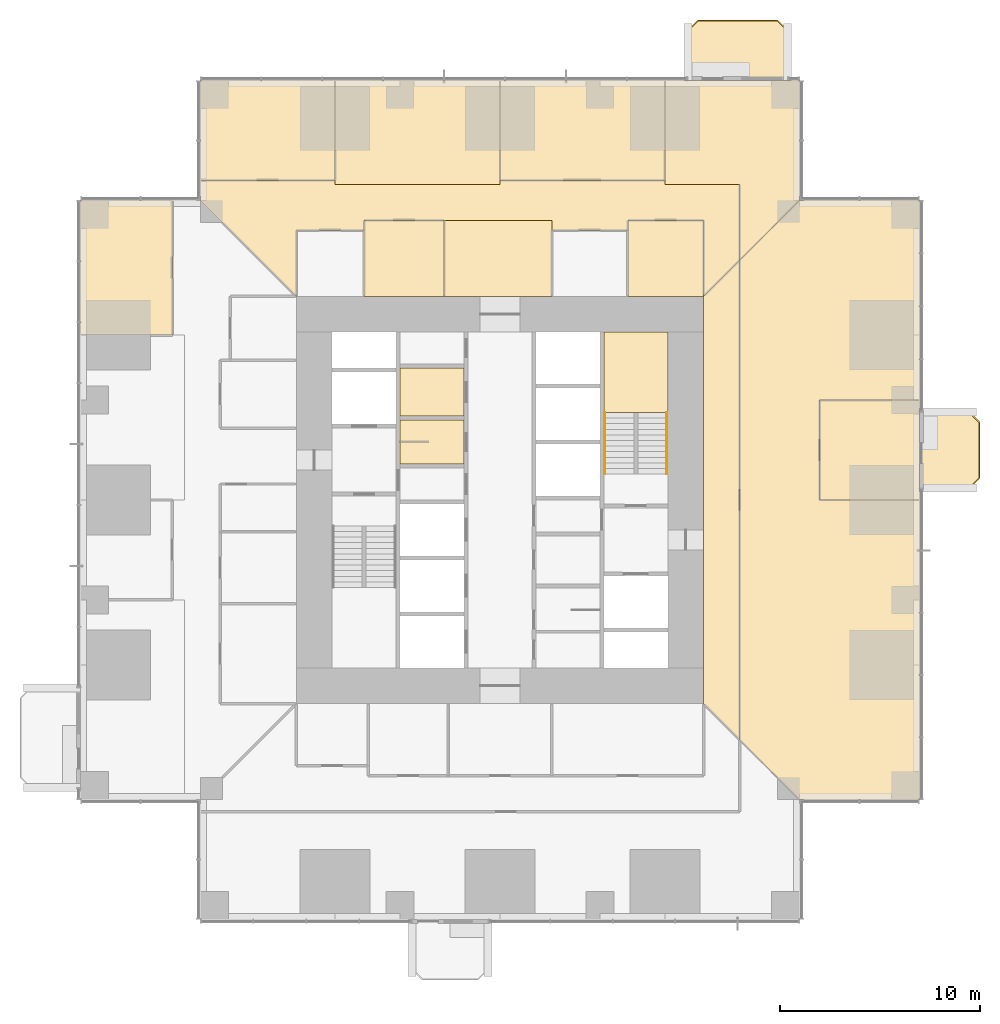
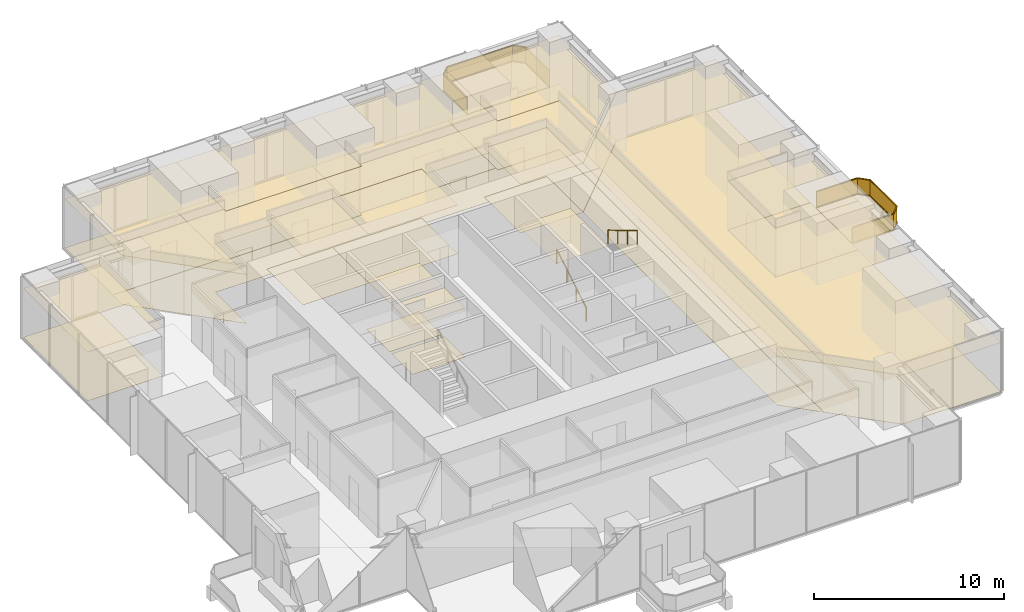
# One storey, part 16 of 17: 31 coverings, 4 railings.
"""IFC4 building model written with IfcOpenShell, lengths in metres."""

from ifc_helpers import new_model, si_unit, direction, frame, origin, origin_2d, place, context, subcontext, project, spatial, polyline, rectangle, circle, outline, extrude, material, layer, layer_set, type_object, element, save


model = new_model("IFC4")

# Units and contexts
model_context = context("Model", 3, precision=1e-05, world=origin(), true_north=direction((0.0, 1.0)))
body_context = subcontext(model_context, "Body", "Model", "MODEL_VIEW")
ifc_project = project(units=[si_unit("LENGTHUNIT", "METRE"), si_unit("AREAUNIT", "SQUARE_METRE"), si_unit("VOLUMEUNIT", "CUBIC_METRE"), si_unit("PLANEANGLEUNIT", "RADIAN"), si_unit("MASSUNIT", "GRAM", prefix="KILO")], contexts=[model_context])

# Site, building, storey
site_placement = place(None, origin())
site = spatial("IfcSite", under=ifc_project, at=site_placement, CompositionType="ELEMENT")
building_placement = place(site_placement, origin())
building = spatial("IfcBuilding", under=site, at=building_placement, Name="Svetlomir Tower", CompositionType="ELEMENT")
storey_placement = place(building_placement, frame((0.0, 0.0, 38.5)))
storey = spatial("IfcBuildingStorey", under=building, at=storey_placement, Name="L08", CompositionType="ELEMENT", Elevation=38.5)

# Railings
ifc_material_1 = material(Name="Bronze anodised aluminium and laminated glass", Category="aluminium")
railing_type_1 = type_object("IfcRailingType", Name="BALCONY GUARD GR1 1100", PredefinedType="GUARDRAIL", material=ifc_material_1)
railing_1_placement = place(storey_placement, frame((42.0, 21.60009765625, 0.0)))
element("IfcRailing", 1, at=railing_1_placement, inside=storey, type_object=railing_type_1, Name="Balcony guard E L08", PredefinedType="GUARDRAIL", context=body_context, shape_type="SweptSolid", body=[
    extrude(rectangle(XDim=0.06005859375, YDim=0.10009765625, at=origin_2d()), frame((0.0, 0.0, 0.050048828125), z_axis=(1.0, 0.0, 0.0), x_axis=(0.0, 1.0, 0.0)), (0.0, 0.0, 1.0), 2.5),
    extrude(rectangle(XDim=0.021484375, YDim=0.960205078125, at=origin_2d()), frame((0.0, 0.0, 0.580078125), z_axis=(1.0, 0.0, 0.0), x_axis=(0.0, 1.0, 0.0)), (0.0, 0.0, 1.0), 2.5),
    extrude(rectangle(XDim=0.06005859375, YDim=0.0400390625, at=origin_2d()), frame((0.0, 0.0, 1.080078125), z_axis=(1.0, 0.0, 0.0), x_axis=(0.0, 1.0, 0.0)), (0.0, 0.0, 1.0), 2.5),
    extrude(rectangle(XDim=0.06005859375, YDim=0.10009765625, at=origin_2d()), frame((2.5, 0.0, 0.050048828125), z_axis=(0.707106781187, 0.707106781187, 0.0), x_axis=(-0.707106781187, 0.707106781187, 0.0)), (0.0, 0.0, 1.0), 0.70703125),
    extrude(rectangle(XDim=0.021484375, YDim=0.960205078125, at=origin_2d()), frame((2.5, 0.0, 0.580078125), z_axis=(0.707106781187, 0.707106781187, 0.0), x_axis=(-0.707106781187, 0.707106781187, 0.0)), (0.0, 0.0, 1.0), 0.70703125),
    extrude(rectangle(XDim=0.06005859375, YDim=0.0400390625, at=origin_2d()), frame((2.5, 0.0, 1.080078125), z_axis=(0.707106781187, 0.707106781187, 0.0), x_axis=(-0.707106781187, 0.707106781187, 0.0)), (0.0, 0.0, 1.0), 0.70703125),
    extrude(rectangle(XDim=0.06005859375, YDim=0.10009765625, at=origin_2d()), frame((3.0, 0.5, 0.050048828125), z_axis=(0.0, 1.0, 0.0), x_axis=(-1.0, 0.0, 0.0)), (0.0, 0.0, 1.0), 2.7998046875),
    extrude(rectangle(XDim=0.021484375, YDim=0.960205078125, at=origin_2d()), frame((3.0, 0.5, 0.580078125), z_axis=(0.0, 1.0, 0.0), x_axis=(-1.0, 0.0, 0.0)), (0.0, 0.0, 1.0), 2.7998046875),
    extrude(rectangle(XDim=0.06005859375, YDim=0.0400390625, at=origin_2d()), frame((3.0, 0.5, 1.080078125), z_axis=(0.0, 1.0, 0.0), x_axis=(-1.0, 0.0, 0.0)), (0.0, 0.0, 1.0), 2.7998046875),
    extrude(rectangle(XDim=0.06005859375, YDim=0.10009765625, at=origin_2d()), frame((3.0, 3.2998046875, 0.050048828125), z_axis=(-0.707106781187, 0.707106781187, 0.0), x_axis=(-0.707106781187, -0.707106781187, 0.0)), (0.0, 0.0, 1.0), 0.70703125),
    extrude(rectangle(XDim=0.021484375, YDim=0.960205078125, at=origin_2d()), frame((3.0, 3.2998046875, 0.580078125), z_axis=(-0.707106781187, 0.707106781187, 0.0), x_axis=(-0.707106781187, -0.707106781187, 0.0)), (0.0, 0.0, 1.0), 0.70703125),
    extrude(rectangle(XDim=0.06005859375, YDim=0.0400390625, at=origin_2d()), frame((3.0, 3.2998046875, 1.080078125), z_axis=(-0.707106781187, 0.707106781187, 0.0), x_axis=(-0.707106781187, -0.707106781187, 0.0)), (0.0, 0.0, 1.0), 0.70703125),
    extrude(rectangle(XDim=0.06005859375, YDim=0.10009765625, at=origin_2d()), frame((2.5, 3.7998046875, 0.050048828125), z_axis=(-1.0, 0.0, 0.0), x_axis=(0.0, -1.0, 0.0)), (0.0, 0.0, 1.0), 2.5),
    extrude(rectangle(XDim=0.021484375, YDim=0.960205078125, at=origin_2d()), frame((2.5, 3.7998046875, 0.580078125), z_axis=(-1.0, 0.0, 0.0), x_axis=(0.0, -1.0, 0.0)), (0.0, 0.0, 1.0), 2.5),
    extrude(rectangle(XDim=0.06005859375, YDim=0.0400390625, at=origin_2d()), frame((2.5, 3.7998046875, 1.080078125), z_axis=(-1.0, 0.0, 0.0), x_axis=(0.0, -1.0, 0.0)), (0.0, 0.0, 1.0), 2.5),
])
railing_2_placement = place(storey_placement, frame((35.39990234375, 42.0, 0.0)))
element("IfcRailing", 2, at=railing_2_placement, inside=storey, type_object=railing_type_1, Name="Balcony guard N L08", PredefinedType="GUARDRAIL", context=body_context, shape_type="SweptSolid", body=[
    extrude(rectangle(XDim=0.06005859375, YDim=0.10009765625, at=origin_2d()), frame((0.0, 0.0, 0.050048828125), z_axis=(0.0, 1.0, 0.0), x_axis=(-1.0, 0.0, 0.0)), (0.0, 0.0, 1.0), 2.5),
    extrude(rectangle(XDim=0.021484375, YDim=0.960205078125, at=origin_2d()), frame((0.0, 0.0, 0.580078125), z_axis=(0.0, 1.0, 0.0), x_axis=(-1.0, 0.0, 0.0)), (0.0, 0.0, 1.0), 2.5),
    extrude(rectangle(XDim=0.06005859375, YDim=0.0400390625, at=origin_2d()), frame((0.0, 0.0, 1.080078125), z_axis=(0.0, 1.0, 0.0), x_axis=(-1.0, 0.0, 0.0)), (0.0, 0.0, 1.0), 2.5),
    extrude(rectangle(XDim=0.06005859375, YDim=0.10009765625, at=origin_2d()), frame((0.0, 2.5, 0.050048828125), z_axis=(-0.707106781187, 0.707106781187, 0.0), x_axis=(-0.707106781187, -0.707106781187, 0.0)), (0.0, 0.0, 1.0), 0.70703125),
    extrude(rectangle(XDim=0.021484375, YDim=0.960205078125, at=origin_2d()), frame((0.0, 2.5, 0.580078125), z_axis=(-0.707106781187, 0.707106781187, 0.0), x_axis=(-0.707106781187, -0.707106781187, 0.0)), (0.0, 0.0, 1.0), 0.70703125),
    extrude(rectangle(XDim=0.06005859375, YDim=0.0400390625, at=origin_2d()), frame((0.0, 2.5, 1.080078125), z_axis=(-0.707106781187, 0.707106781187, 0.0), x_axis=(-0.707106781187, -0.707106781187, 0.0)), (0.0, 0.0, 1.0), 0.70703125),
    extrude(rectangle(XDim=0.06005859375, YDim=0.10009765625, at=origin_2d()), frame((-0.5, 3.0, 0.050048828125), z_axis=(-1.0, 0.0, 0.0), x_axis=(0.0, -1.0, 0.0)), (0.0, 0.0, 1.0), 4.0),
    extrude(rectangle(XDim=0.021484375, YDim=0.960205078125, at=origin_2d()), frame((-0.5, 3.0, 0.580078125), z_axis=(-1.0, 0.0, 0.0), x_axis=(0.0, -1.0, 0.0)), (0.0, 0.0, 1.0), 4.0),
    extrude(rectangle(XDim=0.06005859375, YDim=0.0400390625, at=origin_2d()), frame((-0.5, 3.0, 1.080078125), z_axis=(-1.0, 0.0, 0.0), x_axis=(0.0, -1.0, 0.0)), (0.0, 0.0, 1.0), 4.0),
    extrude(rectangle(XDim=0.06005859375, YDim=0.10009765625, at=origin_2d()), frame((-4.5, 3.0, 0.050048828125), z_axis=(-0.707106781187, -0.707106781187, 0.0), x_axis=(0.707106781187, -0.707106781187, 0.0)), (0.0, 0.0, 1.0), 0.70703125),
    extrude(rectangle(XDim=0.021484375, YDim=0.960205078125, at=origin_2d()), frame((-4.5, 3.0, 0.580078125), z_axis=(-0.707106781187, -0.707106781187, 0.0), x_axis=(0.707106781187, -0.707106781187, 0.0)), (0.0, 0.0, 1.0), 0.70703125),
    extrude(rectangle(XDim=0.06005859375, YDim=0.0400390625, at=origin_2d()), frame((-4.5, 3.0, 1.080078125), z_axis=(-0.707106781187, -0.707106781187, 0.0), x_axis=(0.707106781187, -0.707106781187, 0.0)), (0.0, 0.0, 1.0), 0.70703125),
    extrude(rectangle(XDim=0.06005859375, YDim=0.10009765625, at=origin_2d()), frame((-5.0, 2.5, 0.050048828125), z_axis=(0.0, -1.0, 0.0), x_axis=(1.0, 0.0, 0.0)), (0.0, 0.0, 1.0), 2.5),
    extrude(rectangle(XDim=0.021484375, YDim=0.960205078125, at=origin_2d()), frame((-5.0, 2.5, 0.580078125), z_axis=(0.0, -1.0, 0.0), x_axis=(1.0, 0.0, 0.0)), (0.0, 0.0, 1.0), 2.5),
    extrude(rectangle(XDim=0.06005859375, YDim=0.0400390625, at=origin_2d()), frame((-5.0, 2.5, 1.080078125), z_axis=(0.0, -1.0, 0.0), x_axis=(1.0, 0.0, 0.0)), (0.0, 0.0, 1.0), 2.5),
])

# Coverings
ifc_material_2 = material(Name="Granite paving slabs on pedestals", Category="masonry")
ifc_layer_1 = layer(ifc_material_2, 0.0400390625)
ifc_layer_set_1 = layer_set([ifc_layer_1], Name="Granite paving slabs on pedestals")
covering_type_1 = type_object("IfcCoveringType", Name="BALCONY PAVING 40", PredefinedType="USERDEFINED", material=ifc_layer_set_1)
covering_1_placement = place(storey_placement, origin())
element("IfcCovering", 3, at=covering_1_placement, inside=storey, type_object=covering_type_1, Name="Balcony paving E L08", ObjectType="BALCONY PAVING", PredefinedType="USERDEFINED", context=body_context, shape_type="SweptSolid", body=[
    extrude(outline(polyline([(42.0, 21.60009765625), (44.5, 21.60009765625), (45.0, 22.10009765625), (45.0, 24.89990234375), (44.5, 25.39990234375), (42.0, 25.39990234375), (42.0, 21.60009765625)])), origin(), (0.0, 0.0, 1.0), 0.0400390625),
])
covering_2_placement = place(storey_placement, origin())
element("IfcCovering", 4, at=covering_2_placement, inside=storey, type_object=covering_type_1, Name="Balcony paving N L08", ObjectType="BALCONY PAVING", PredefinedType="USERDEFINED", context=body_context, shape_type="SweptSolid", body=[
    extrude(outline(polyline([(30.39990234375, 42.0), (35.39990234375, 42.0), (35.39990234375, 44.5), (34.89990234375, 45.0), (30.89990234375, 45.0), (30.39990234375, 44.5), (30.39990234375, 42.0)])), origin(), (0.0, 0.0, 1.0), 0.0400390625),
])
ifc_material_3 = material(Name="Carpet tile", Category="textile")
ifc_layer_2 = layer(ifc_material_3, 0.010009765625)
ifc_layer_set_2 = layer_set([ifc_layer_2], Name="Carpet tile")
covering_type_2 = type_object("IfcCoveringType", Name="CARPET TILE FLOOR 10", PredefinedType="FLOORING", material=ifc_layer_set_2)
covering_3_placement = place(storey_placement, origin())
element("IfcCovering", 5, at=covering_3_placement, inside=storey, type_object=covering_type_2, Name="Floor finish L08-17", PredefinedType="FLOORING", context=body_context, shape_type="SweptSolid", body=[
    extrude(outline(polyline([(37.0, 21.0), (42.0, 21.0), (42.0, 26.0), (37.0, 26.0), (37.0, 21.0)])), origin(), (0.0, 0.0, 1.0), 0.010009765625),
])
covering_4_placement = place(storey_placement, origin())
element("IfcCovering", 6, at=covering_4_placement, inside=storey, type_object=covering_type_2, Name="Floor finish L08-19", PredefinedType="FLOORING", context=body_context, shape_type="SweptSolid", body=[
    extrude(outline(polyline([(14.199951171875, 31.199951171875), (18.199951171875, 31.199951171875), (18.199951171875, 35.0), (14.199951171875, 35.0), (14.199951171875, 31.199951171875)])), origin(), (0.0, 0.0, 1.0), 0.010009765625),
])
covering_5_placement = place(storey_placement, origin())
element("IfcCovering", 7, at=covering_5_placement, inside=storey, type_object=covering_type_2, Name="Floor finish L08-21", PredefinedType="FLOORING", context=body_context, shape_type="SweptSolid", body=[
    extrude(outline(polyline([(27.39990234375, 31.199951171875), (31.199951171875, 31.199951171875), (31.199951171875, 35.0), (27.39990234375, 35.0), (27.39990234375, 31.199951171875)])), origin(), (0.0, 0.0, 1.0), 0.010009765625),
])
covering_6_placement = place(storey_placement, origin())
element("IfcCovering", 8, at=covering_6_placement, inside=storey, type_object=covering_type_2, Name="Floor finish L08-22", PredefinedType="FLOORING", context=body_context, shape_type="SweptSolid", body=[
    extrude(outline(polyline([(6.0, 37.0), (12.75, 37.0), (12.75, 42.0), (6.0, 42.0), (6.0, 37.0)])), origin(), (0.0, 0.0, 1.0), 0.010009765625),
])
covering_7_placement = place(storey_placement, origin())
element("IfcCovering", 9, at=covering_7_placement, inside=storey, type_object=covering_type_2, Name="Floor finish L08-23", PredefinedType="FLOORING", context=body_context, shape_type="SweptSolid", body=[
    extrude(outline(polyline([(21.0, 37.0), (29.25, 37.0), (29.25, 42.0), (21.0, 42.0), (21.0, 37.0)])), origin(), (0.0, 0.0, 1.0), 0.010009765625),
])
covering_8_placement = place(storey_placement, origin())
element("IfcCovering", 10, at=covering_8_placement, inside=storey, type_object=covering_type_2, Name="Floor finish L08-29", PredefinedType="FLOORING", context=body_context, shape_type="SweptSolid", body=[
    extrude(outline(polyline([(0.0, 29.25), (4.60009765625, 29.25), (4.60009765625, 36.0), (0.0, 36.0), (0.0, 29.25)])), origin(), (0.0, 0.0, 1.0), 0.010009765625),
])
covering_9_placement = place(storey_placement, origin())
element("IfcCovering", 11, at=covering_9_placement, inside=storey, type_object=covering_type_2, Name="Floor finish L08-31", PredefinedType="FLOORING", context=body_context, shape_type="SweptSolid", body=[
    extrude(outline(polyline([(33.0, 9.0), (31.199951171875, 10.800048828125), (31.199951171875, 31.199951171875), (33.0, 33.0), (33.0, 9.0)])), origin(), (0.0, 0.0, 1.0), 0.010009765625),
])
covering_10_placement = place(storey_placement, origin())
element("IfcCovering", 12, at=covering_10_placement, inside=storey, type_object=covering_type_2, Name="Floor finish L08-32", PredefinedType="FLOORING", context=body_context, shape_type="SweptSolid", body=[
    extrude(outline(polyline([(6.0, 37.0), (12.75, 37.0), (12.75, 36.800048828125), (21.0, 36.800048828125), (21.0, 37.0), (29.25, 37.0), (29.25, 36.800048828125), (33.0, 36.800048828125), (33.0, 33.0), (31.199951171875, 31.199951171875), (31.199951171875, 35.0), (27.39990234375, 35.0), (27.39990234375, 34.5), (23.60009765625, 34.5), (23.60009765625, 35.0), (14.199951171875, 35.0), (14.199951171875, 34.5), (10.800048828125, 34.5), (10.800048828125, 31.199951171875), (6.0, 36.0), (6.0, 37.0)])), origin(), (0.0, 0.0, 1.0), 0.010009765625),
])
covering_11_placement = place(storey_placement, origin())
element("IfcCovering", 13, at=covering_11_placement, inside=storey, type_object=covering_type_2, Name="Floor finish L08-36", PredefinedType="FLOORING", context=body_context, shape_type="SweptSolid", body=[
    extrude(outline(polyline([(33.0, 33.0), (36.0, 36.0), (42.0, 36.0), (42.0, 26.0), (37.0, 26.0), (37.0, 21.0), (42.0, 21.0), (42.0, 6.0), (36.0, 6.0), (33.0, 9.0), (33.0, 33.0)])), origin(), (0.0, 0.0, 1.0), 0.010009765625),
])
covering_12_placement = place(storey_placement, origin())
element("IfcCovering", 14, at=covering_12_placement, inside=storey, type_object=covering_type_2, Name="Floor finish L08-37", PredefinedType="FLOORING", context=body_context, shape_type="SweptSolid", body=[
    extrude(outline(polyline([(33.0, 36.800048828125), (29.25, 36.800048828125), (29.25, 42.0), (36.0, 42.0), (36.0, 36.0), (33.0, 33.0), (33.0, 36.800048828125)])), origin(), (0.0, 0.0, 1.0), 0.010009765625),
])
covering_13_placement = place(storey_placement, origin())
element("IfcCovering", 15, at=covering_13_placement, inside=storey, type_object=covering_type_2, Name="Floor finish L08-38", PredefinedType="FLOORING", context=body_context, shape_type="SweptSolid", body=[
    extrude(outline(polyline([(21.0, 42.0), (21.0, 36.800048828125), (12.75, 36.800048828125), (12.75, 42.0), (21.0, 42.0)])), origin(), (0.0, 0.0, 1.0), 0.010009765625),
])
covering_14_placement = place(storey_placement, origin())
element("IfcCovering", 16, at=covering_14_placement, inside=storey, type_object=covering_type_2, Name="Floor finish L08-39", PredefinedType="FLOORING", context=body_context, shape_type="SweptSolid", body=[
    extrude(outline(polyline([(18.199951171875, 31.199951171875), (18.199951171875, 35.0), (23.60009765625, 35.0), (23.60009765625, 31.199951171875), (18.199951171875, 31.199951171875)])), origin(), (0.0, 0.0, 1.0), 0.010009765625),
])
ifc_material_4 = material(Name="Ceramic floor tile", Category="ceramic")
ifc_layer_3 = layer(ifc_material_4, 0.014892578125)
ifc_layer_set_3 = layer_set([ifc_layer_3], Name="Ceramic floor tile")
covering_type_3 = type_object("IfcCoveringType", Name="CERAMIC TILE FLOOR 15", PredefinedType="FLOORING", material=ifc_layer_set_3)
covering_15_placement = place(storey_placement, origin())
element("IfcCovering", 17, at=covering_15_placement, inside=storey, type_object=covering_type_3, Name="Floor finish L08-04", PredefinedType="FLOORING", context=body_context, shape_type="SweptSolid", body=[
    extrude(outline(polyline([(16.0, 22.800048828125), (19.199951171875, 22.800048828125), (19.199951171875, 25.0), (16.0, 25.0), (16.0, 22.800048828125)])), origin(), (0.0, 0.0, 1.0), 0.014892578125),
])
covering_16_placement = place(storey_placement, origin())
element("IfcCovering", 18, at=covering_16_placement, inside=storey, type_object=covering_type_3, Name="Floor finish L08-05", PredefinedType="FLOORING", context=body_context, shape_type="SweptSolid", body=[
    extrude(outline(polyline([(16.0, 25.199951171875), (19.199951171875, 25.199951171875), (19.199951171875, 27.60009765625), (16.0, 27.60009765625), (16.0, 25.199951171875)])), origin(), (0.0, 0.0, 1.0), 0.014892578125),
])

# Railings
ifc_material_5 = material(Name="Stainless steel", Category="steel")
railing_type_2 = type_object("IfcRailingType", Name="HANDRAIL HR1 900", PredefinedType="HANDRAIL", material=ifc_material_5)
railing_3_placement = place(storey_placement, frame((26.25, 22.300048828125, 0.166748046875)))
element("IfcRailing", 19, at=railing_3_placement, inside=storey, type_object=railing_type_2, Name="Handrail S2 flight 1 L08", PredefinedType="HANDRAIL", context=body_context, shape_type="SweptSolid", body=[
    extrude(circle(Radius=0.02392578125, at=origin_2d()), frame((0.0, 0.0, 0.8759765625), z_axis=(0.0, 0.859290745958, 0.51148745235), x_axis=(-1.0, 0.0, 0.0)), (0.0, 0.0, 1.0), 3.584228515625),
    extrude(circle(Radius=0.02099609375, at=origin_2d()), origin(), (0.0, 0.0, 1.0), 0.851806640625),
    extrude(circle(Radius=0.02099609375, at=origin_2d()), frame((0.0, 1.026611328125, 0.611083984375)), (0.0, 0.0, 1.0), 0.851806640625),
    extrude(circle(Radius=0.02099609375, at=origin_2d()), frame((0.0, 2.05322265625, 1.22216796875)), (0.0, 0.0, 1.0), 0.851806640625),
    extrude(circle(Radius=0.02099609375, at=origin_2d()), frame((0.0, 3.079833984375, 1.833251953125)), (0.0, 0.0, 1.0), 0.851806640625),
])
railing_4_placement = place(storey_placement, frame((29.35009765625, 25.3798828125, 2.166748046875)))
element("IfcRailing", 20, at=railing_4_placement, inside=storey, type_object=railing_type_2, Name="Handrail S2 flight 2 L08", PredefinedType="HANDRAIL", context=body_context, shape_type="SweptSolid", body=[
    extrude(circle(Radius=0.02392578125, at=origin_2d()), frame((0.0, 0.0, 0.8759765625), z_axis=(0.0, -0.859290745958, 0.51148745235), x_axis=(1.0, 0.0, 0.0)), (0.0, 0.0, 1.0), 3.584228515625),
    extrude(circle(Radius=0.02099609375, at=origin_2d()), origin(), (0.0, 0.0, 1.0), 0.851806640625),
    extrude(circle(Radius=0.02099609375, at=origin_2d()), frame((0.0, -1.026611328125, 0.611083984375)), (0.0, 0.0, 1.0), 0.851806640625),
    extrude(circle(Radius=0.02099609375, at=origin_2d()), frame((0.0, -2.05322265625, 1.22216796875)), (0.0, 0.0, 1.0), 0.851806640625),
    extrude(circle(Radius=0.02099609375, at=origin_2d()), frame((0.0, -3.079833984375, 1.833251953125)), (0.0, 0.0, 1.0), 0.851806640625),
])

# Coverings
ifc_material_6 = material(Name="Moisture resistant plasterboard ceiling", Category="gypsum")
ifc_layer_4 = layer(ifc_material_6, 0.012451171875)
ifc_layer_set_4 = layer_set([ifc_layer_4], Name="Moisture resistant plasterboard ceiling")
covering_type_4 = type_object("IfcCoveringType", Name="MOISTURE RESISTANT CEILING 12.5", PredefinedType="CEILING", material=ifc_layer_set_4)
covering_17_placement = place(storey_placement, frame((0.0, 0.0, 3.137451171875)))
element("IfcCovering", 21, at=covering_17_placement, inside=storey, type_object=covering_type_4, Name="Ceiling L08-04", PredefinedType="CEILING", context=body_context, shape_type="SweptSolid", body=[
    extrude(outline(polyline([(16.0, 22.800048828125), (19.199951171875, 22.800048828125), (19.199951171875, 25.0), (16.0, 25.0), (16.0, 22.800048828125)])), origin(), (0.0, 0.0, 1.0), 0.012451171875),
])
covering_18_placement = place(storey_placement, frame((0.0, 0.0, 3.137451171875)))
element("IfcCovering", 22, at=covering_18_placement, inside=storey, type_object=covering_type_4, Name="Ceiling L08-05", PredefinedType="CEILING", context=body_context, shape_type="SweptSolid", body=[
    extrude(outline(polyline([(16.0, 25.199951171875), (19.199951171875, 25.199951171875), (19.199951171875, 27.60009765625), (16.0, 27.60009765625), (16.0, 25.199951171875)])), origin(), (0.0, 0.0, 1.0), 0.012451171875),
])
ifc_material_7 = material(Name="Studded rubber floor finish", Category="rubber")
ifc_layer_5 = layer(ifc_material_7, 0.006103515625)
ifc_layer_set_5 = layer_set([ifc_layer_5], Name="Studded rubber floor finish")
covering_type_5 = type_object("IfcCoveringType", Name="RUBBER LANDING FINISH 6", PredefinedType="FLOORING", material=ifc_layer_set_5)
covering_19_placement = place(storey_placement, frame((0.0, 0.0, 2.0)))
element("IfcCovering", 23, at=covering_19_placement, inside=storey, type_object=covering_type_5, Name="Stair S2 landing finish L08", PredefinedType="FLOORING", context=body_context, shape_type="SweptSolid", body=[
    extrude(outline(polyline([(26.199951171875, 25.3798828125), (29.39990234375, 25.3798828125), (29.39990234375, 29.39990234375), (26.199951171875, 29.39990234375), (26.199951171875, 25.3798828125)])), origin(), (0.0, 0.0, 1.0), 0.006103515625),
])
ifc_material_8 = material(Name="Mineral fibre ceiling tile", Category="mineral")
ifc_layer_6 = layer(ifc_material_8, 0.02001953125)
ifc_layer_set_6 = layer_set([ifc_layer_6], Name="Mineral fibre ceiling tile")
covering_type_6 = type_object("IfcCoveringType", Name="SUSPENDED CEILING 20", PredefinedType="CEILING", material=ifc_layer_set_6)
covering_20_placement = place(storey_placement, frame((0.0, 0.0, 3.1298828125)))
element("IfcCovering", 24, at=covering_20_placement, inside=storey, type_object=covering_type_6, Name="Ceiling L08-17", PredefinedType="CEILING", context=body_context, shape_type="SweptSolid", body=[
    extrude(outline(polyline([(37.0, 21.0), (42.0, 21.0), (42.0, 26.0), (37.0, 26.0), (37.0, 21.0)])), origin(), (0.0, 0.0, 1.0), 0.02001953125),
])
covering_21_placement = place(storey_placement, frame((0.0, 0.0, 3.1298828125)))
element("IfcCovering", 25, at=covering_21_placement, inside=storey, type_object=covering_type_6, Name="Ceiling L08-19", PredefinedType="CEILING", context=body_context, shape_type="SweptSolid", body=[
    extrude(outline(polyline([(14.199951171875, 31.199951171875), (18.199951171875, 31.199951171875), (18.199951171875, 35.0), (14.199951171875, 35.0), (14.199951171875, 31.199951171875)])), origin(), (0.0, 0.0, 1.0), 0.02001953125),
])
covering_22_placement = place(storey_placement, frame((0.0, 0.0, 3.1298828125)))
element("IfcCovering", 26, at=covering_22_placement, inside=storey, type_object=covering_type_6, Name="Ceiling L08-21", PredefinedType="CEILING", context=body_context, shape_type="SweptSolid", body=[
    extrude(outline(polyline([(27.39990234375, 31.199951171875), (31.199951171875, 31.199951171875), (31.199951171875, 35.0), (27.39990234375, 35.0), (27.39990234375, 31.199951171875)])), origin(), (0.0, 0.0, 1.0), 0.02001953125),
])
covering_23_placement = place(storey_placement, frame((0.0, 0.0, 3.1298828125)))
element("IfcCovering", 27, at=covering_23_placement, inside=storey, type_object=covering_type_6, Name="Ceiling L08-22", PredefinedType="CEILING", context=body_context, shape_type="SweptSolid", body=[
    extrude(outline(polyline([(6.0, 37.0), (12.75, 37.0), (12.75, 42.0), (6.0, 42.0), (6.0, 37.0)])), origin(), (0.0, 0.0, 1.0), 0.02001953125),
])
covering_24_placement = place(storey_placement, frame((0.0, 0.0, 3.1298828125)))
element("IfcCovering", 28, at=covering_24_placement, inside=storey, type_object=covering_type_6, Name="Ceiling L08-23", PredefinedType="CEILING", context=body_context, shape_type="SweptSolid", body=[
    extrude(outline(polyline([(21.0, 37.0), (29.25, 37.0), (29.25, 42.0), (21.0, 42.0), (21.0, 37.0)])), origin(), (0.0, 0.0, 1.0), 0.02001953125),
])
covering_25_placement = place(storey_placement, frame((0.0, 0.0, 3.1298828125)))
element("IfcCovering", 29, at=covering_25_placement, inside=storey, type_object=covering_type_6, Name="Ceiling L08-29", PredefinedType="CEILING", context=body_context, shape_type="SweptSolid", body=[
    extrude(outline(polyline([(0.0, 29.25), (4.60009765625, 29.25), (4.60009765625, 36.0), (0.0, 36.0), (0.0, 29.25)])), origin(), (0.0, 0.0, 1.0), 0.02001953125),
])
covering_26_placement = place(storey_placement, frame((0.0, 0.0, 3.1298828125)))
element("IfcCovering", 30, at=covering_26_placement, inside=storey, type_object=covering_type_6, Name="Ceiling L08-31", PredefinedType="CEILING", context=body_context, shape_type="SweptSolid", body=[
    extrude(outline(polyline([(33.0, 9.0), (31.199951171875, 10.800048828125), (31.199951171875, 31.199951171875), (33.0, 33.0), (33.0, 9.0)])), origin(), (0.0, 0.0, 1.0), 0.02001953125),
])
covering_27_placement = place(storey_placement, frame((0.0, 0.0, 3.1298828125)))
element("IfcCovering", 31, at=covering_27_placement, inside=storey, type_object=covering_type_6, Name="Ceiling L08-32", PredefinedType="CEILING", context=body_context, shape_type="SweptSolid", body=[
    extrude(outline(polyline([(6.0, 37.0), (12.75, 37.0), (12.75, 36.800048828125), (21.0, 36.800048828125), (21.0, 37.0), (29.25, 37.0), (29.25, 36.800048828125), (33.0, 36.800048828125), (33.0, 33.0), (31.199951171875, 31.199951171875), (31.199951171875, 35.0), (27.39990234375, 35.0), (27.39990234375, 34.5), (23.60009765625, 34.5), (23.60009765625, 35.0), (14.199951171875, 35.0), (14.199951171875, 34.5), (10.800048828125, 34.5), (10.800048828125, 31.199951171875), (6.0, 36.0), (6.0, 37.0)])), origin(), (0.0, 0.0, 1.0), 0.02001953125),
])
covering_28_placement = place(storey_placement, frame((0.0, 0.0, 3.1298828125)))
element("IfcCovering", 32, at=covering_28_placement, inside=storey, type_object=covering_type_6, Name="Ceiling L08-36", PredefinedType="CEILING", context=body_context, shape_type="SweptSolid", body=[
    extrude(outline(polyline([(33.0, 33.0), (36.0, 36.0), (42.0, 36.0), (42.0, 26.0), (37.0, 26.0), (37.0, 21.0), (42.0, 21.0), (42.0, 6.0), (36.0, 6.0), (33.0, 9.0), (33.0, 33.0)])), origin(), (0.0, 0.0, 1.0), 0.02001953125),
])
covering_29_placement = place(storey_placement, frame((0.0, 0.0, 3.1298828125)))
element("IfcCovering", 33, at=covering_29_placement, inside=storey, type_object=covering_type_6, Name="Ceiling L08-37", PredefinedType="CEILING", context=body_context, shape_type="SweptSolid", body=[
    extrude(outline(polyline([(33.0, 36.800048828125), (29.25, 36.800048828125), (29.25, 42.0), (36.0, 42.0), (36.0, 36.0), (33.0, 33.0), (33.0, 36.800048828125)])), origin(), (0.0, 0.0, 1.0), 0.02001953125),
])
covering_30_placement = place(storey_placement, frame((0.0, 0.0, 3.1298828125)))
element("IfcCovering", 34, at=covering_30_placement, inside=storey, type_object=covering_type_6, Name="Ceiling L08-38", PredefinedType="CEILING", context=body_context, shape_type="SweptSolid", body=[
    extrude(outline(polyline([(21.0, 42.0), (21.0, 36.800048828125), (12.75, 36.800048828125), (12.75, 42.0), (21.0, 42.0)])), origin(), (0.0, 0.0, 1.0), 0.02001953125),
])
covering_31_placement = place(storey_placement, frame((0.0, 0.0, 3.1298828125)))
element("IfcCovering", 35, at=covering_31_placement, inside=storey, type_object=covering_type_6, Name="Ceiling L08-39", PredefinedType="CEILING", context=body_context, shape_type="SweptSolid", body=[
    extrude(outline(polyline([(18.199951171875, 31.199951171875), (18.199951171875, 35.0), (23.60009765625, 35.0), (23.60009765625, 31.199951171875), (18.199951171875, 31.199951171875)])), origin(), (0.0, 0.0, 1.0), 0.02001953125),
])

save(model, "model.ifc")
